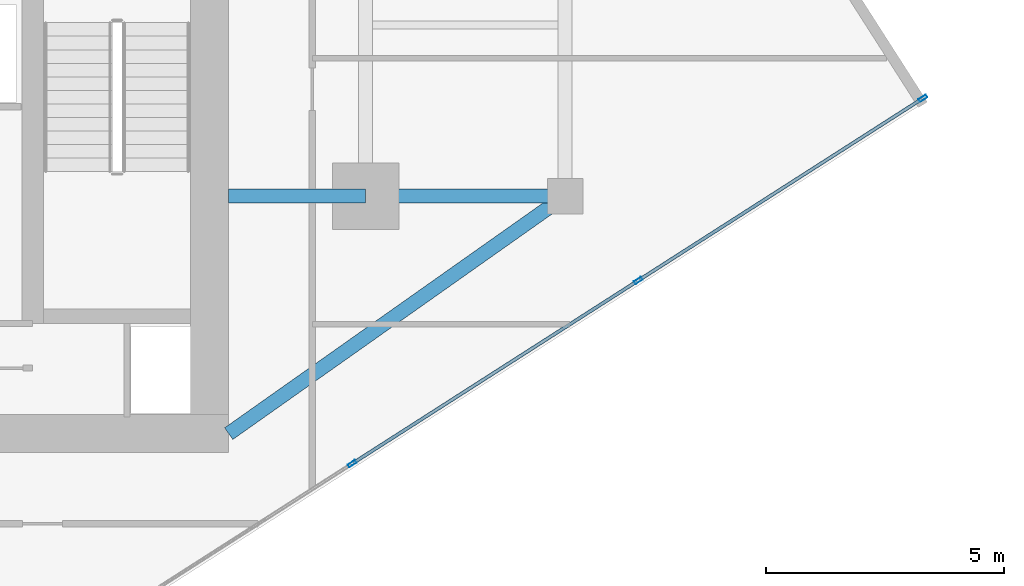
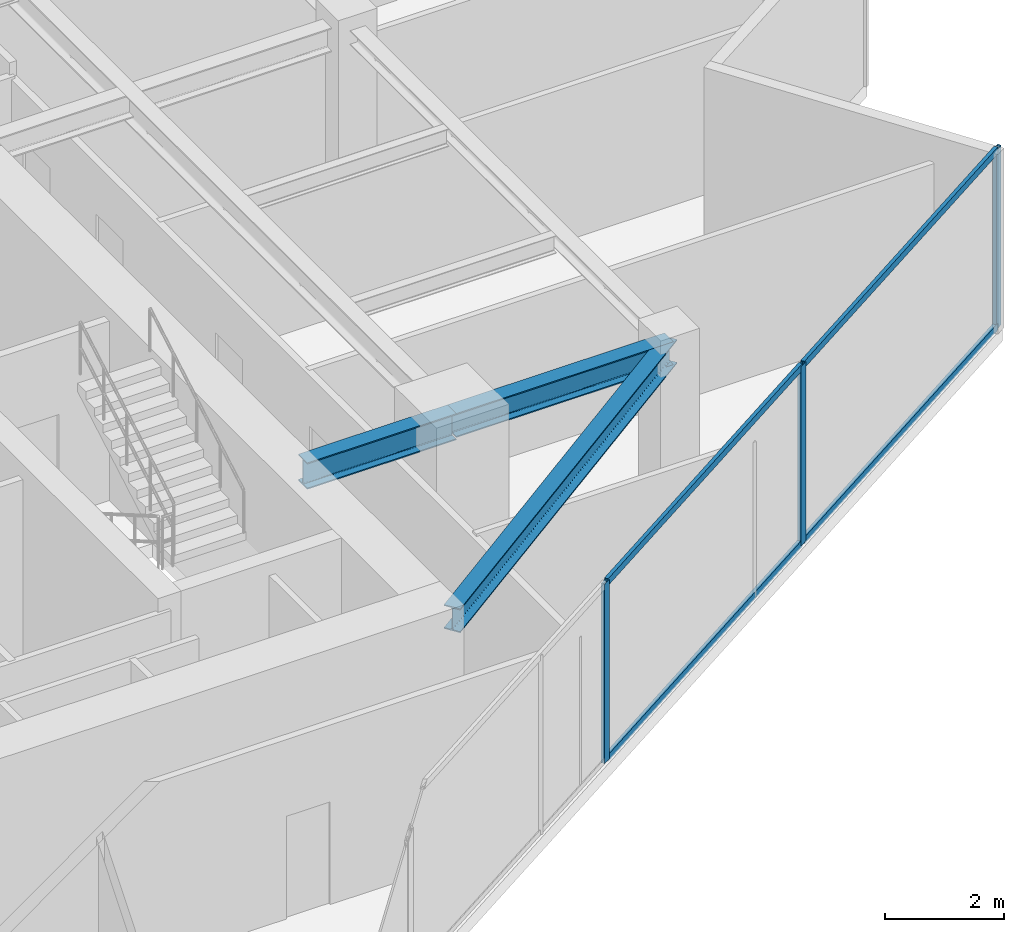
# One storey, part 8 of 20: 7 members, 3 beams, 1 element without a shape of its own.
"""IFC4 building model written with IfcOpenShell, lengths in metres."""

from ifc_helpers import new_model, si_unit, direction, frame, origin, origin_2d, place, context, subcontext, project, spatial, hollow_rectangle, i_section, extrude, source, transform, mapped, material, material_profile, profile_set, type_object, type_shapes, element, aggregate, save


model = new_model("IFC4")

# Units and contexts
model_context = context("Model", 3, precision=1e-05, world=origin(), true_north=direction((0.0, 1.0)))
body_context = subcontext(model_context, "Body", "Model", "MODEL_VIEW")
ifc_project = project(units=[si_unit("LENGTHUNIT", "METRE"), si_unit("AREAUNIT", "SQUARE_METRE"), si_unit("VOLUMEUNIT", "CUBIC_METRE"), si_unit("PLANEANGLEUNIT", "RADIAN"), si_unit("MASSUNIT", "GRAM", prefix="KILO")], contexts=[model_context])

# Site, building, storey
site_placement = place(None, origin())
site = spatial("IfcSite", under=ifc_project, at=site_placement, CompositionType="ELEMENT")
building_placement = place(site_placement, origin())
building = spatial("IfcBuilding", under=site, at=building_placement, Name="Krantzveldt Concourse Tower", CompositionType="ELEMENT")
storey_placement = place(building_placement, frame((0.0, 0.0, 287.14990234375)))
storey = spatial("IfcBuildingStorey", under=building, at=storey_placement, Name="L70", CompositionType="ELEMENT", Elevation=287.14990234375)

# Beams
ifc_material_1 = material(Name="Steel S355JR", Category="steel")
ifc_material_profile_1 = material_profile(ifc_material_1, i_section(OverallWidth=0.300048828125, OverallDepth=0.489990234375, WebThickness=0.011962890625, FlangeThickness=0.02294921875, FilletRadius=0.027099609375, at=origin_2d()), Name="Steel S355JR", Category="steel")
ifc_profile_set_1 = profile_set([ifc_material_profile_1], Name="Steel S355JR - HEA 500")
beam_type_1 = type_object("IfcBeamType", Name="BM-B-HEA500", PredefinedType="BEAM", material=ifc_profile_set_1)
shared_shape_1 = source(origin(), body_context, "Body", "SweptSolid", [
    extrude(i_section(OverallWidth=0.300048828125, OverallDepth=0.489990234375, WebThickness=0.011962890625, FlangeThickness=0.02294921875, FilletRadius=0.027099609375, at=origin_2d()), origin(), (0.0, 0.0, 1.0), 4.199951171875),
])
beam_1_placement = place(storey_placement, frame((46.800048828125, 15.89990234375, 3.425048828125), z_axis=(1.0, 0.0, 0.0), x_axis=(0.0, 1.0, 0.0)))
element("IfcBeam", 1, at=beam_1_placement, inside=storey, type_object=beam_type_1, Name="L70 Tower Girder BR-RR1", PredefinedType="BEAM", context=body_context, shape_type="MappedRepresentation", body=[
    mapped(shared_shape_1, transform((0.0, 0.0, 0.0), x_axis=(1.0, 0.0, 0.0), y_axis=(0.0, 1.0, 0.0), z_axis=(0.0, 0.0, 1.0), scale=1.0)),
])
shared_shape_2 = source(origin(), body_context, "Body", "SweptSolid", [
    extrude(i_section(OverallWidth=0.300048828125, OverallDepth=0.489990234375, WebThickness=0.011962890625, FlangeThickness=0.02294921875, FilletRadius=0.027099609375, at=origin_2d()), origin(), (0.0, 0.0, 1.0), 8.667724609375),
])
type_shapes(beam_type_1, [shared_shape_1, shared_shape_2])
beam_2_placement = place(storey_placement, frame((51.0, 15.89990234375, 3.425048828125), z_axis=(-0.81684294656, -0.576860122261, 0.0), x_axis=(0.576860122261, -0.81684294656, 0.0)))
element("IfcBeam", 2, at=beam_2_placement, inside=storey, type_object=beam_type_1, Name="L70 Tower Girder BR-CSE", PredefinedType="BEAM", context=body_context, shape_type="MappedRepresentation", body=[
    mapped(shared_shape_2, transform((0.0, 0.0, 0.0), x_axis=(1.0, 0.0, 0.0), y_axis=(0.0, 1.0, 0.0), z_axis=(0.0, 0.0, 1.0), scale=1.0)),
])
ifc_material_profile_2 = material_profile(ifc_material_1, i_section(OverallWidth=0.300048828125, OverallDepth=0.5400390625, WebThickness=0.012451171875, FlangeThickness=0.02392578125, FilletRadius=0.027099609375, at=origin_2d()), Name="Steel S355JR", Category="steel")
ifc_profile_set_2 = profile_set([ifc_material_profile_2], Name="Steel S355JR - HEA 550")
beam_type_2 = type_object("IfcBeamType", Name="BM-B-HEA550", PredefinedType="BEAM", material=ifc_profile_set_2)
shared_shape_3 = source(origin(), body_context, "Body", "SweptSolid", [
    extrude(i_section(OverallWidth=0.300048828125, OverallDepth=0.5400390625, WebThickness=0.012451171875, FlangeThickness=0.02392578125, FilletRadius=0.027099609375, at=origin_2d()), origin(), (0.0, 0.0, 1.0), 2.880126953125),
])
type_shapes(beam_type_2, [shared_shape_3])
beam_3_placement = place(storey_placement, frame((43.919921875, 15.89990234375, 3.400146484375), z_axis=(1.0, 0.0, 0.0), x_axis=(0.0, 1.0, 0.0)))
element("IfcBeam", 3, at=beam_3_placement, inside=storey, type_object=beam_type_2, Name="L70 Tower Girder BG-CE1", PredefinedType="BEAM", context=body_context, shape_type="MappedRepresentation", body=[
    mapped(shared_shape_3, transform((0.0, 0.0, 0.0), x_axis=(1.0, 0.0, 0.0), y_axis=(0.0, 1.0, 0.0), z_axis=(0.0, 0.0, 1.0), scale=1.0)),
])

# Curtain wall, members
ifc_material_2 = material(Name="Anodised aluminium 6063-T6", Category="aluminium")
curtain_wall_type = type_object("IfcCurtainWallType", Name="CW4", PredefinedType="USERDEFINED", material=ifc_material_2)
curtain_wall_placement = place(storey_placement, origin())
curtain_wall = element("IfcCurtainWall", 4, at=curtain_wall_placement, inside=storey, type_object=curtain_wall_type, Name="CW-L70-F07", ObjectType="UNITISED CURTAIN WALL", PredefinedType="USERDEFINED")
ifc_material_profile_3 = material_profile(ifc_material_2, hollow_rectangle(XDim=0.070068359375, YDim=0.179931640625, WallThickness=0.0048828125, at=origin_2d()), Name="Anodised aluminium 6063-T6", Category="aluminium")
ifc_profile_set_3 = profile_set([ifc_material_profile_3], Name="Anodised aluminium 6063-T6 - ALU-MULL 180x70x5")
member_type_1 = type_object("IfcMemberType", Name="CW-MUL-180", PredefinedType="MULLION", material=ifc_profile_set_3)
shared_shape_4 = source(origin(), body_context, "Body", "SweptSolid", [
    extrude(hollow_rectangle(XDim=0.070068359375, YDim=0.179931640625, WallThickness=0.0048828125, at=origin_2d()), origin(), (0.0, 0.0, 1.0), 3.670166015625),
])
type_shapes(member_type_1, [shared_shape_4])
member_1_placement = place(storey_placement, frame((46.5185546875, 10.268310546875, 0.0), z_axis=(0.0, 0.0, 1.0), x_axis=(-0.53913830827, 0.842217243088, 0.0)))
member_1 = element("IfcMember", 5, at=member_1_placement, type_object=member_type_1, Name="CW-Z56 mullion 3", PredefinedType="MULLION", context=body_context, shape_type="MappedRepresentation", body=[
    mapped(shared_shape_4, transform((0.0, 0.0, 0.0), x_axis=(1.0, 0.0, 0.0), y_axis=(0.0, 1.0, 0.0), z_axis=(0.0, 0.0, 1.0), scale=1.0)),
])
member_2_placement = place(storey_placement, frame((52.54052734375, 14.123291015625, 0.0), z_axis=(0.0, 0.0, 1.0), x_axis=(-0.53913830827, 0.842217243088, 0.0)))
member_2 = element("IfcMember", 6, at=member_2_placement, type_object=member_type_1, Name="CW-Z56 mullion 4", PredefinedType="MULLION", context=body_context, shape_type="MappedRepresentation", body=[
    mapped(shared_shape_4, transform((0.0, 0.0, 0.0), x_axis=(1.0, 0.0, 0.0), y_axis=(0.0, 1.0, 0.0), z_axis=(0.0, 0.0, 1.0), scale=1.0)),
])
member_3_placement = place(storey_placement, frame((58.53271484375, 17.959228515625, 0.0), z_axis=(0.0, 0.0, 1.0), x_axis=(-0.53913830827, 0.842217243088, 0.0)))
member_3 = element("IfcMember", 7, at=member_3_placement, type_object=member_type_1, Name="CW-Z56 mullion 5", PredefinedType="MULLION", context=body_context, shape_type="MappedRepresentation", body=[
    mapped(shared_shape_4, transform((0.0, 0.0, 0.0), x_axis=(1.0, 0.0, 0.0), y_axis=(0.0, 1.0, 0.0), z_axis=(0.0, 0.0, 1.0), scale=1.0)),
])
ifc_material_profile_4 = material_profile(ifc_material_2, hollow_rectangle(XDim=0.070068359375, YDim=0.139892578125, WallThickness=0.0048828125, at=origin_2d()), Name="Anodised aluminium 6063-T6", Category="aluminium")
ifc_profile_set_4 = profile_set([ifc_material_profile_4], Name="Anodised aluminium 6063-T6 - ALU-TRAN 140x70x5")
member_type_2 = type_object("IfcMemberType", Name="CW-TRN-150", PredefinedType="USERDEFINED", material=ifc_profile_set_4)
shared_shape_5 = source(origin(), body_context, "Body", "SweptSolid", [
    extrude(hollow_rectangle(XDim=0.070068359375, YDim=0.139892578125, WallThickness=0.0048828125, at=origin_2d()), origin(), (0.0, 0.0, 1.0), 7.080078125),
])
member_4_placement = place(storey_placement, frame((46.548095703125, 10.287109375, 0.03515625), z_axis=(0.842214406915, 0.539142738786, 0.0), x_axis=(-0.539142738786, 0.842214406915, 0.0)))
member_4 = element("IfcMember", 8, at=member_4_placement, type_object=member_type_2, Name="CW-Z56 transom 3.1", ObjectType="TRANSOM", PredefinedType="USERDEFINED", context=body_context, shape_type="MappedRepresentation", body=[
    mapped(shared_shape_5, transform((0.0, 0.0, 0.0), x_axis=(1.0, 0.0, 0.0), y_axis=(0.0, 1.0, 0.0), z_axis=(0.0, 0.0, 1.0), scale=1.0)),
])
member_5_placement = place(storey_placement, frame((46.548095703125, 10.287109375, 3.635009765625), z_axis=(0.842214406915, 0.539142738786, 0.0), x_axis=(-0.539142738786, 0.842214406915, 0.0)))
member_5 = element("IfcMember", 9, at=member_5_placement, type_object=member_type_2, Name="CW-Z56 transom 3.2", ObjectType="TRANSOM", PredefinedType="USERDEFINED", context=body_context, shape_type="MappedRepresentation", body=[
    mapped(shared_shape_5, transform((0.0, 0.0, 0.0), x_axis=(1.0, 0.0, 0.0), y_axis=(0.0, 1.0, 0.0), z_axis=(0.0, 0.0, 1.0), scale=1.0)),
])
shared_shape_6 = source(origin(), body_context, "Body", "SweptSolid", [
    extrude(hollow_rectangle(XDim=0.070068359375, YDim=0.139892578125, WallThickness=0.0048828125, at=origin_2d()), origin(), (0.0, 0.0, 1.0), 7.045166015625),
])
type_shapes(member_type_2, [shared_shape_5, shared_shape_6])
member_6_placement = place(storey_placement, frame((52.56982421875, 14.14208984375, 0.03515625), z_axis=(0.842233007615, 0.539113680854, 0.0), x_axis=(-0.539113680854, 0.842233007615, 0.0)))
member_6 = element("IfcMember", 10, at=member_6_placement, type_object=member_type_2, Name="CW-Z56 transom 4.1", ObjectType="TRANSOM", PredefinedType="USERDEFINED", context=body_context, shape_type="MappedRepresentation", body=[
    mapped(shared_shape_6, transform((0.0, 0.0, 0.0), x_axis=(1.0, 0.0, 0.0), y_axis=(0.0, 1.0, 0.0), z_axis=(0.0, 0.0, 1.0), scale=1.0)),
])
member_7_placement = place(storey_placement, frame((52.56982421875, 14.14208984375, 3.635009765625), z_axis=(0.842233007615, 0.539113680854, 0.0), x_axis=(-0.539113680854, 0.842233007615, 0.0)))
member_7 = element("IfcMember", 11, at=member_7_placement, type_object=member_type_2, Name="CW-Z56 transom 4.2", ObjectType="TRANSOM", PredefinedType="USERDEFINED", context=body_context, shape_type="MappedRepresentation", body=[
    mapped(shared_shape_6, transform((0.0, 0.0, 0.0), x_axis=(1.0, 0.0, 0.0), y_axis=(0.0, 1.0, 0.0), z_axis=(0.0, 0.0, 1.0), scale=1.0)),
])
aggregate(curtain_wall, [member_1, member_2, member_3, member_4, member_5, member_6, member_7])

save(model, "model.ifc")
